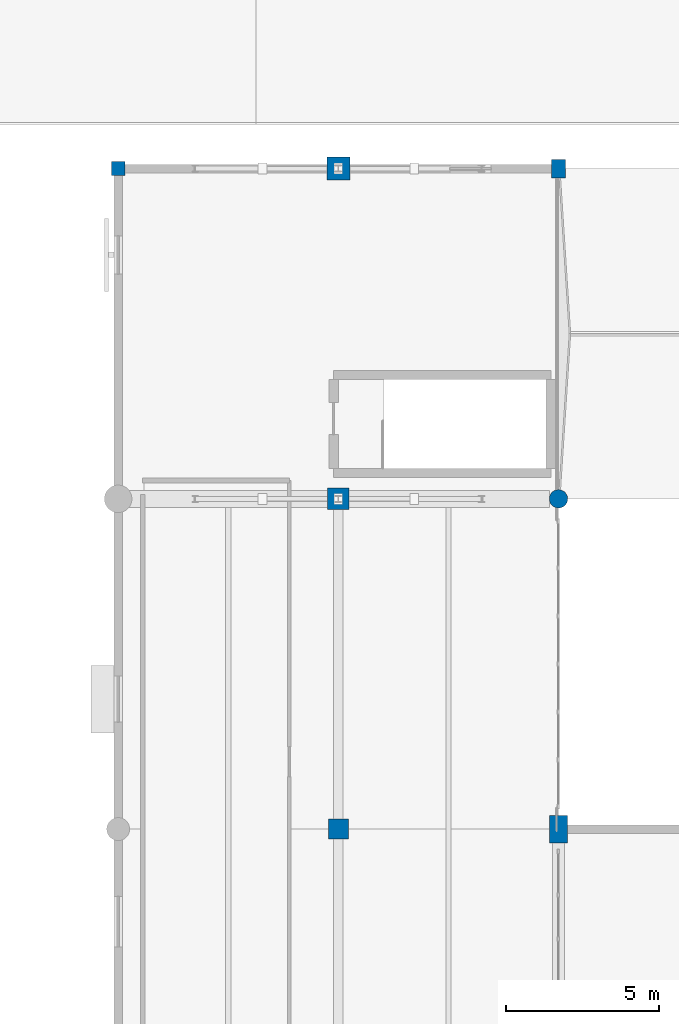
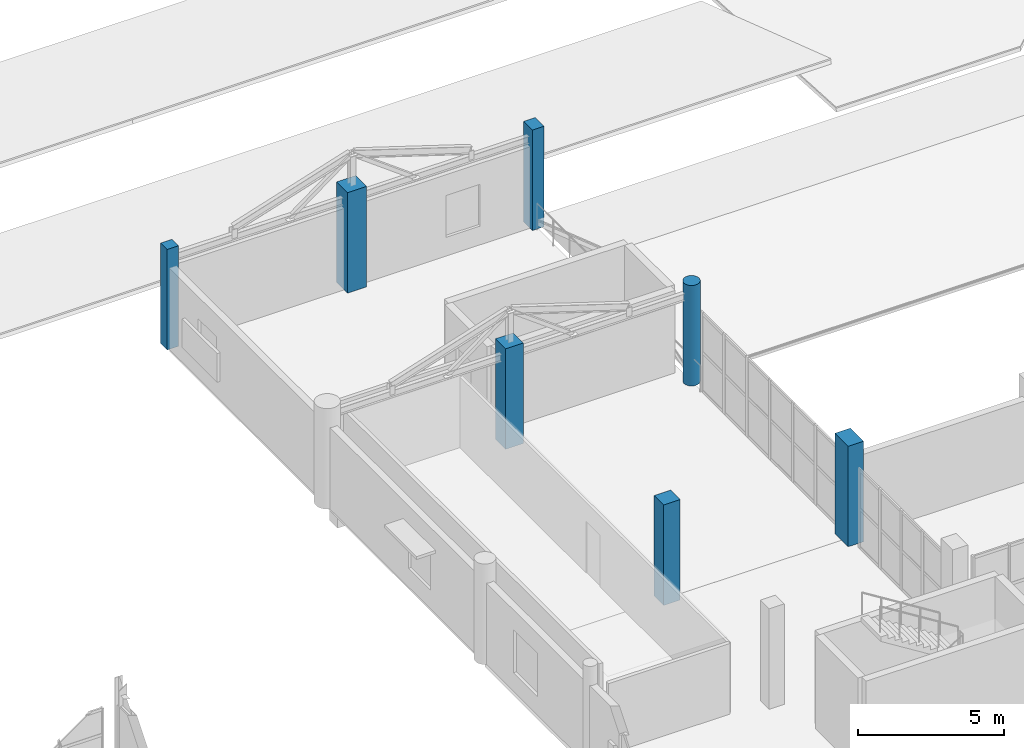
# One storey, part 8 of 90: 7 columns.
"""IFC4 building model written with IfcOpenShell, lengths in metres."""

from ifc_helpers import new_model, si_unit, direction, frame, origin, origin_2d, place, context, subcontext, project, spatial, rectangle, circle, extrude, material, material_profile, profile_set, type_object, element, save


model = new_model("IFC4")

# Units and contexts
model_context = context("Model", 3, precision=1e-05, world=origin(), true_north=direction((0.0, 1.0)))
body_context = subcontext(model_context, "Body", "Model", "MODEL_VIEW")
ifc_project = project(units=[si_unit("LENGTHUNIT", "METRE"), si_unit("AREAUNIT", "SQUARE_METRE"), si_unit("VOLUMEUNIT", "CUBIC_METRE"), si_unit("PLANEANGLEUNIT", "RADIAN"), si_unit("MASSUNIT", "GRAM", prefix="KILO")], contexts=[model_context])

# Site, building, storey
site_placement = place(None, origin())
site = spatial("IfcSite", under=ifc_project, at=site_placement, CompositionType="ELEMENT")
building_placement = place(site_placement, origin())
building = spatial("IfcBuilding", under=site, at=building_placement, Name="Solanera Park Tramway Depot", CompositionType="ELEMENT")
storey_placement = place(building_placement, frame((0.0, 0.0, 9.0)))
storey = spatial("IfcBuildingStorey", under=building, at=storey_placement, Name="L02", CompositionType="ELEMENT", Elevation=9.0)

# Columns
ifc_material_1 = material(Name="Concrete N40 (C40/50)", Category="concrete")
ifc_material_profile_1 = material_profile(ifc_material_1, rectangle(XDim=0.449951171875, YDim=0.449951171875, at=origin_2d()), Name="RC 450x450")
ifc_profile_set_1 = profile_set([ifc_material_profile_1], Name="Concrete N40 (C40/50)")
column_type_1 = type_object("IfcColumnType", Name="RC Column Ext RC 450x450", PredefinedType="COLUMN", material=ifc_profile_set_1)
column_1_placement = place(storey_placement, frame((108.0, 54.0, 0.0), z_axis=(0.0, 0.0, 1.0), x_axis=(1.0, 0.0, 0.0)))
element("IfcColumn", 1, at=column_1_placement, inside=storey, type_object=column_type_1, Name="L02 Column V4-X1080-Y540", PredefinedType="COLUMN", context=body_context, shape_type="SweptSolid", body=[
    extrude(rectangle(XDim=0.449951171875, YDim=0.449951171875, at=origin_2d()), origin(), (0.0, 0.0, 1.0), 4.199951171875),
])
ifc_material_2 = material(Name="Concrete N40 (C40/50)", Category="concrete")
ifc_material_profile_2 = material_profile(ifc_material_2, rectangle(XDim=0.449951171875, YDim=0.60009765625, at=origin_2d()), Name="RC 450x600")
ifc_profile_set_2 = profile_set([ifc_material_profile_2], Name="Concrete N40 (C40/50)")
column_type_2 = type_object("IfcColumnType", Name="RC Column Ext RC 450x600", PredefinedType="COLUMN", material=ifc_profile_set_2)
column_2_placement = place(storey_placement, frame((122.39990234375, 54.0, 0.0), z_axis=(0.0, 0.0, 1.0), x_axis=(1.0, 0.0, 0.0)))
element("IfcColumn", 2, at=column_2_placement, inside=storey, type_object=column_type_2, Name="L02 Column V4-X1224-Y540", PredefinedType="COLUMN", context=body_context, shape_type="SweptSolid", body=[
    extrude(rectangle(XDim=0.449951171875, YDim=0.60009765625, at=origin_2d()), origin(), (0.0, 0.0, 1.0), 4.199951171875),
])
ifc_material_3 = material(Name="Concrete N40 (C40/50)", Category="concrete")
ifc_material_profile_3 = material_profile(ifc_material_3, rectangle(XDim=0.75, YDim=0.75, at=origin_2d()), Name="RC 750x750")
ifc_profile_set_3 = profile_set([ifc_material_profile_3], Name="Concrete N40 (C40/50)")
column_type_3 = type_object("IfcColumnType", Name="RC Column Ext RC 750x750", PredefinedType="COLUMN", material=ifc_profile_set_3)
column_3_placement = place(storey_placement, frame((115.199951171875, 54.0, 0.0), z_axis=(0.0, 0.0, 1.0), x_axis=(1.0, 0.0, 0.0)))
element("IfcColumn", 3, at=column_3_placement, inside=storey, type_object=column_type_3, Name="L02 Column V4-X1152-Y540", PredefinedType="COLUMN", context=body_context, shape_type="SweptSolid", body=[
    extrude(rectangle(XDim=0.75, YDim=0.75, at=origin_2d()), origin(), (0.0, 0.0, 1.0), 4.199951171875),
])
ifc_material_4 = material(Name="Concrete N40 (C40/50)", Category="concrete")
ifc_material_profile_4 = material_profile(ifc_material_4, rectangle(XDim=0.60009765625, YDim=0.89990234375, at=origin_2d()), Name="RC 600x900")
ifc_profile_set_4 = profile_set([ifc_material_profile_4], Name="Concrete N40 (C40/50)")
column_type_4 = type_object("IfcColumnType", Name="RC Column Int RC 600x900", PredefinedType="COLUMN", material=ifc_profile_set_4)
column_4_placement = place(storey_placement, frame((122.39990234375, 32.39990234375, 0.0), z_axis=(0.0, 0.0, 1.0), x_axis=(1.0, 0.0, 0.0)))
element("IfcColumn", 4, at=column_4_placement, inside=storey, type_object=column_type_4, Name="L02 Column V4-X1224-Y324", PredefinedType="COLUMN", context=body_context, shape_type="SweptSolid", body=[
    extrude(rectangle(XDim=0.60009765625, YDim=0.89990234375, at=origin_2d()), origin(), (0.0, 0.0, 1.0), 4.199951171875),
])
ifc_material_5 = material(Name="Concrete N40 (C40/50)", Category="concrete")
ifc_material_profile_5 = material_profile(ifc_material_5, rectangle(XDim=0.64990234375, YDim=0.64990234375, at=origin_2d()), Name="RC 650x650")
ifc_profile_set_5 = profile_set([ifc_material_profile_5], Name="Concrete N40 (C40/50)")
column_type_5 = type_object("IfcColumnType", Name="RC Column Int RC 650x650", PredefinedType="COLUMN", material=ifc_profile_set_5)
column_5_placement = place(storey_placement, frame((115.199951171875, 32.39990234375, 0.0), z_axis=(0.0, 0.0, 1.0), x_axis=(1.0, 0.0, 0.0)))
element("IfcColumn", 5, at=column_5_placement, inside=storey, type_object=column_type_5, Name="L02 Column V4-X1152-Y324", PredefinedType="COLUMN", context=body_context, shape_type="SweptSolid", body=[
    extrude(rectangle(XDim=0.64990234375, YDim=0.64990234375, at=origin_2d()), origin(), (0.0, 0.0, 1.0), 4.199951171875),
])
ifc_material_6 = material(Name="Concrete N40 (C40/50)", Category="concrete")
ifc_material_profile_6 = material_profile(ifc_material_6, rectangle(XDim=0.699951171875, YDim=0.699951171875, at=origin_2d()), Name="RC 700x700")
ifc_profile_set_6 = profile_set([ifc_material_profile_6], Name="Concrete N40 (C40/50)")
column_type_6 = type_object("IfcColumnType", Name="RC Column Int RC 700x700", PredefinedType="COLUMN", material=ifc_profile_set_6)
column_6_placement = place(storey_placement, frame((115.199951171875, 43.199951171875, 0.0), z_axis=(0.0, 0.0, 1.0), x_axis=(1.0, 0.0, 0.0)))
element("IfcColumn", 6, at=column_6_placement, inside=storey, type_object=column_type_6, Name="L02 Column V4-X1152-Y432", PredefinedType="COLUMN", context=body_context, shape_type="SweptSolid", body=[
    extrude(rectangle(XDim=0.699951171875, YDim=0.699951171875, at=origin_2d()), origin(), (0.0, 0.0, 1.0), 4.199951171875),
])
ifc_material_7 = material(Name="Concrete N40 (C40/50)", Category="concrete")
ifc_material_profile_7 = material_profile(ifc_material_7, circle(Radius=0.300048828125, at=origin_2d()), Name="RC D600")
ifc_profile_set_7 = profile_set([ifc_material_profile_7], Name="Concrete N40 (C40/50)")
column_type_7 = type_object("IfcColumnType", Name="RC Column Int RC D600", PredefinedType="COLUMN", material=ifc_profile_set_7)
column_7_placement = place(storey_placement, frame((122.39990234375, 43.199951171875, 0.0), z_axis=(0.0, 0.0, 1.0), x_axis=(1.0, 0.0, 0.0)))
element("IfcColumn", 7, at=column_7_placement, inside=storey, type_object=column_type_7, Name="L02 Column V4-X1224-Y432", PredefinedType="COLUMN", context=body_context, shape_type="SweptSolid", body=[
    extrude(circle(Radius=0.300048828125, at=origin_2d()), origin(), (0.0, 0.0, 1.0), 4.199951171875),
])

save(model, "model.ifc")
